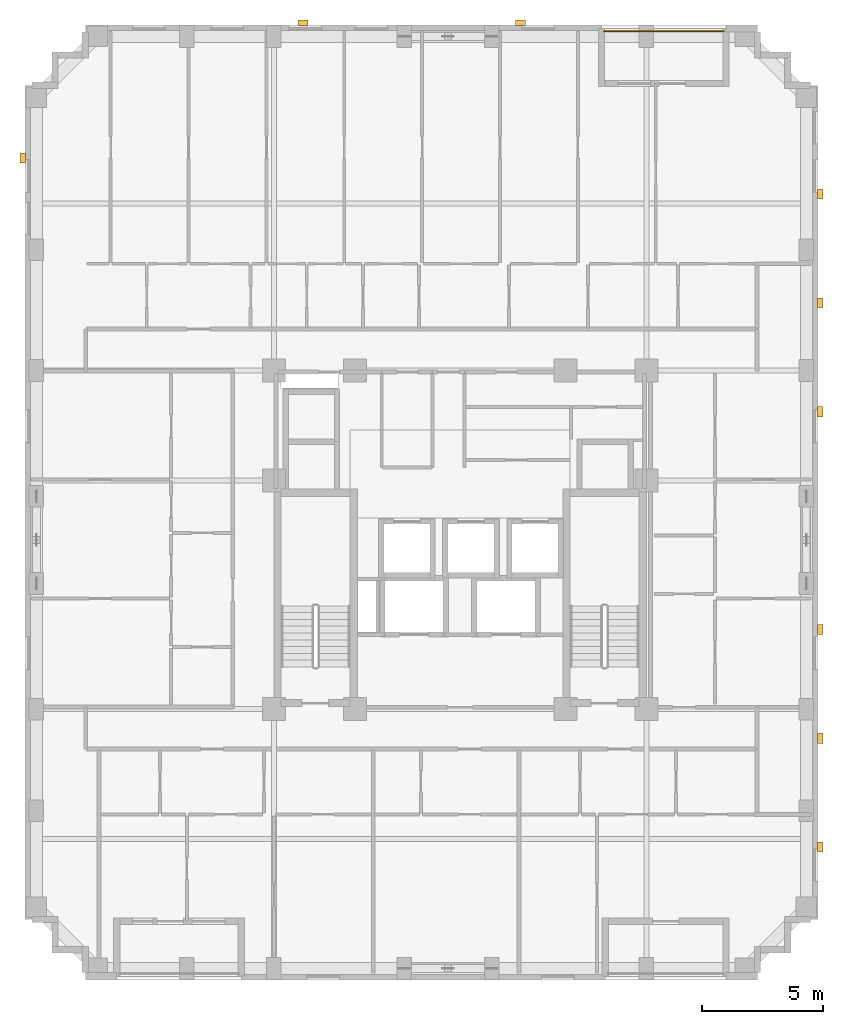
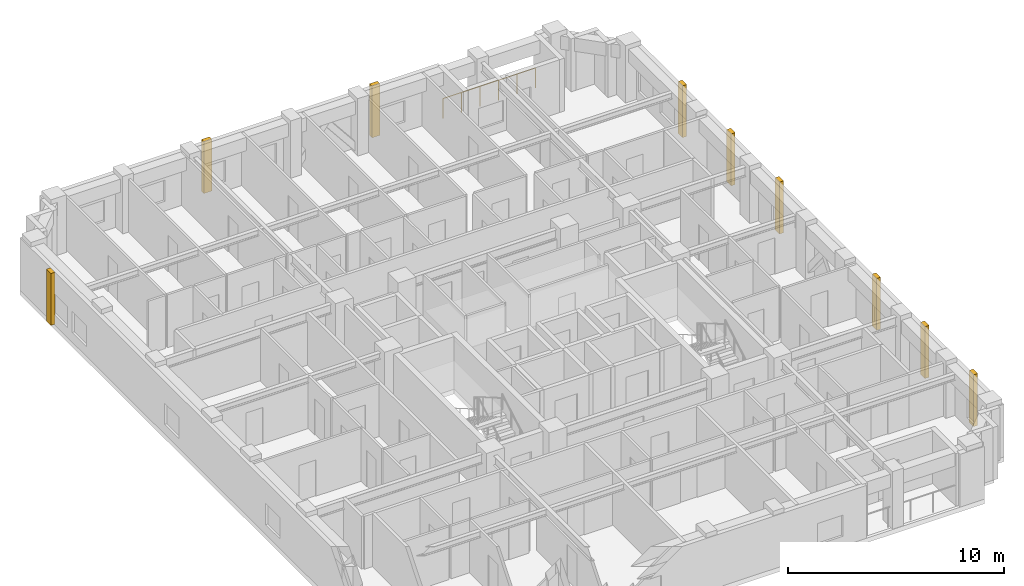
# One storey, part 11 of 11: 9 coverings, 1 railing.
"""IFC4 building model written with IfcOpenShell, lengths in metres."""

from ifc_helpers import new_model, si_unit, derived_unit, direction, frame, origin, origin_2d, place, context, subcontext, project, spatial, rectangle, circle, extrude, material, layer, layer_set, type_object, element, save


model = new_model("IFC4")

# Units and contexts
model_context = context("Model", 3, precision=1e-05, world=origin(), true_north=direction((0.0, 1.0)))
body_context = subcontext(model_context, "Body", "Model", "MODEL_VIEW")
ifc_project = project(units=[si_unit("LENGTHUNIT", "METRE"), si_unit("AREAUNIT", "SQUARE_METRE"), si_unit("VOLUMEUNIT", "CUBIC_METRE"), si_unit("PLANEANGLEUNIT", "RADIAN"), si_unit("MASSUNIT", "GRAM", prefix="KILO"), derived_unit("THERMALTRANSMITTANCEUNIT", [(si_unit("MASSUNIT", "GRAM", prefix="KILO"), 1), (si_unit("TIMEUNIT", "SECOND"), -3), (si_unit("THERMODYNAMICTEMPERATUREUNIT", "KELVIN"), -1)])], contexts=[model_context])

# Site, building, storey
site_placement = place(None, origin())
site = spatial("IfcSite", under=ifc_project, at=site_placement, CompositionType="ELEMENT")
building_placement = place(site_placement, origin())
building = spatial("IfcBuilding", under=site, at=building_placement, Name="Korrvale Station Residences", CompositionType="ELEMENT")
storey_placement = place(building_placement, frame((0.0, 0.0, 160.14990234375)))
storey = spatial("IfcBuildingStorey", under=building, at=storey_placement, Name="L46", CompositionType="ELEMENT", Elevation=160.14990234375)

# Coverings
ifc_material_1 = material(Name="Architectural precast concrete C45/55", Category="concrete")
ifc_layer = layer(ifc_material_1, 0.219970703125, Name="Architectural precast concrete C45/55")
ifc_layer_set = layer_set([ifc_layer], Name="Architectural precast concrete C45/55")
covering_type = type_object("IfcCoveringType", Name="COV-PIER-400", PredefinedType="CLADDING", material=ifc_layer_set)
for number, where, z_axis, x_axis, name in (
    (1, (19.0, 43.389892578125, 0.025146484375), (0.0, 0.0, 1.0), (1.0, 0.0, 0.0), "L46 Architectural Precast Facade Pier 01"),
    (2, (28.0, 43.389892578125, 0.025146484375), (0.0, 0.0, 1.0), (1.0, 0.0, 0.0), "L46 Architectural Precast Facade Pier 02"),
    (3, (7.409912109375, 37.800048828125, 0.025146484375), (0.0, 0.0, 1.0), (0.0, 1.0, 0.0), "L46 Architectural Precast Facade Pier 03"),
    (4, (40.389892578125, 36.300048828125, 0.025146484375), (0.0, 0.0, 1.0), (0.0, 1.0, 0.0), "L46 Architectural Precast Facade Pier 04"),
    (5, (40.389892578125, 31.800048828125, 0.025146484375), (0.0, 0.0, 1.0), (0.0, 1.0, 0.0), "L46 Architectural Precast Facade Pier 05"),
    (6, (40.389892578125, 27.300048828125, 0.025146484375), (0.0, 0.0, 1.0), (0.0, 1.0, 0.0), "L46 Architectural Precast Facade Pier 06"),
    (7, (40.389892578125, 18.300048828125, 0.025146484375), (0.0, 0.0, 1.0), (0.0, 1.0, 0.0), "L46 Architectural Precast Facade Pier 07"),
    (8, (40.389892578125, 13.800048828125, 0.025146484375), (0.0, 0.0, 1.0), (0.0, 1.0, 0.0), "L46 Architectural Precast Facade Pier 08"),
    (9, (40.389892578125, 9.300048828125, 0.025146484375), (0.0, 0.0, 1.0), (0.0, 1.0, 0.0), "L46 Architectural Precast Facade Pier 09"),
):
    element("IfcCovering", number, at=place(storey_placement, frame(where, z_axis=z_axis, x_axis=x_axis)), inside=storey, type_object=covering_type, Name=name, PredefinedType="CLADDING", context=body_context, shape_type="SweptSolid", body=[
        extrude(rectangle(XDim=0.419921875, YDim=0.219970703125, at=origin_2d()), origin(), (0.0, 0.0, 1.0), 2.93994140625),
    ])

# Railing
ifc_material_2 = material(Name="Powder-coated aluminium picket loggia guard", Category="aluminium")
railing_type = type_object("IfcRailingType", Name="RLG-BAL-1150", PredefinedType="GUARDRAIL", material=ifc_material_2)
railing_placement = place(storey_placement, frame((31.449951171875, 43.030029296875, 0.0)))
element("IfcRailing", 10, at=railing_placement, inside=storey, type_object=railing_type, Name="L46 Recessed Loggia Guardrail BAL-L46-N1", PredefinedType="GUARDRAIL", context=body_context, shape_type="SweptSolid", body=[
    extrude(circle(Radius=0.02392578125, at=origin_2d()), frame((0.0, 0.0, 1.1259765625), z_axis=(1.0, 0.0, 0.0), x_axis=(0.0, 1.0, 0.0)), (0.0, 0.0, 1.0), 4.949951171875),
    extrude(circle(Radius=0.02099609375, at=origin_2d()), origin(), (0.0, 0.0, 1.0), 1.101806640625),
    extrude(circle(Radius=0.02099609375, at=origin_2d()), frame((0.989990234375, 0.0, 0.0)), (0.0, 0.0, 1.0), 1.101806640625),
    extrude(circle(Radius=0.02099609375, at=origin_2d()), frame((1.97998046875, 0.0, 0.0)), (0.0, 0.0, 1.0), 1.101806640625),
    extrude(circle(Radius=0.02099609375, at=origin_2d()), frame((2.969970703125, 0.0, 0.0)), (0.0, 0.0, 1.0), 1.101806640625),
    extrude(circle(Radius=0.02099609375, at=origin_2d()), frame((3.9599609375, 0.0, 0.0)), (0.0, 0.0, 1.0), 1.101806640625),
    extrude(circle(Radius=0.02099609375, at=origin_2d()), frame((4.949951171875, 0.0, 0.0)), (0.0, 0.0, 1.0), 1.101806640625),
])

save(model, "model.ifc")
